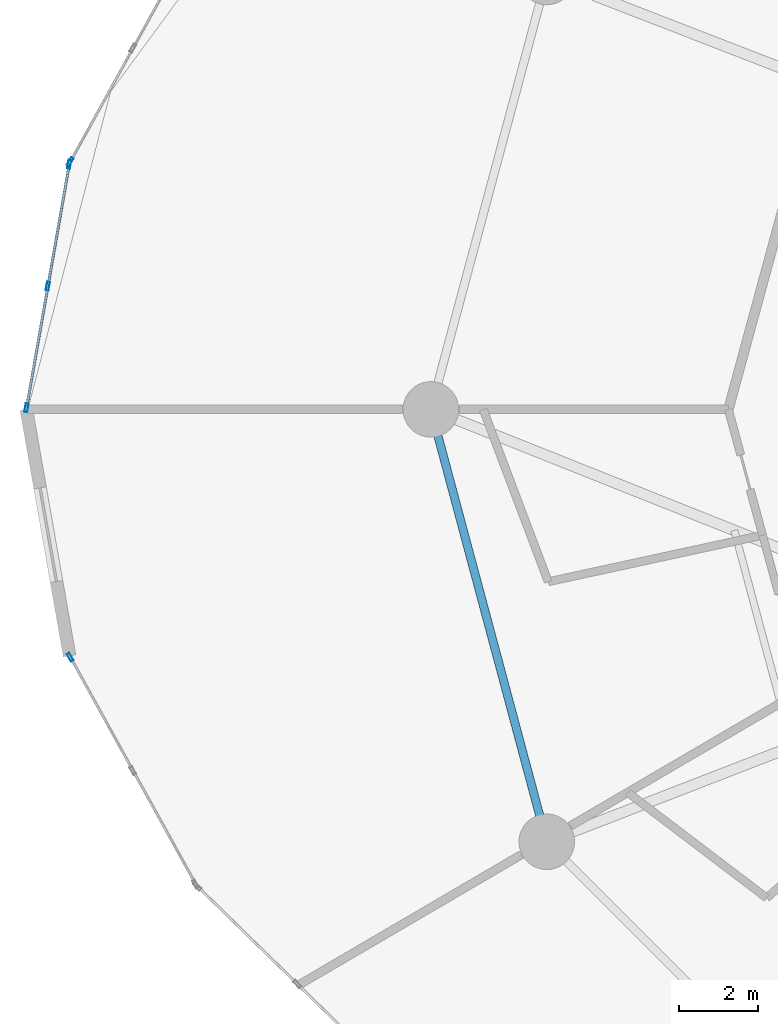
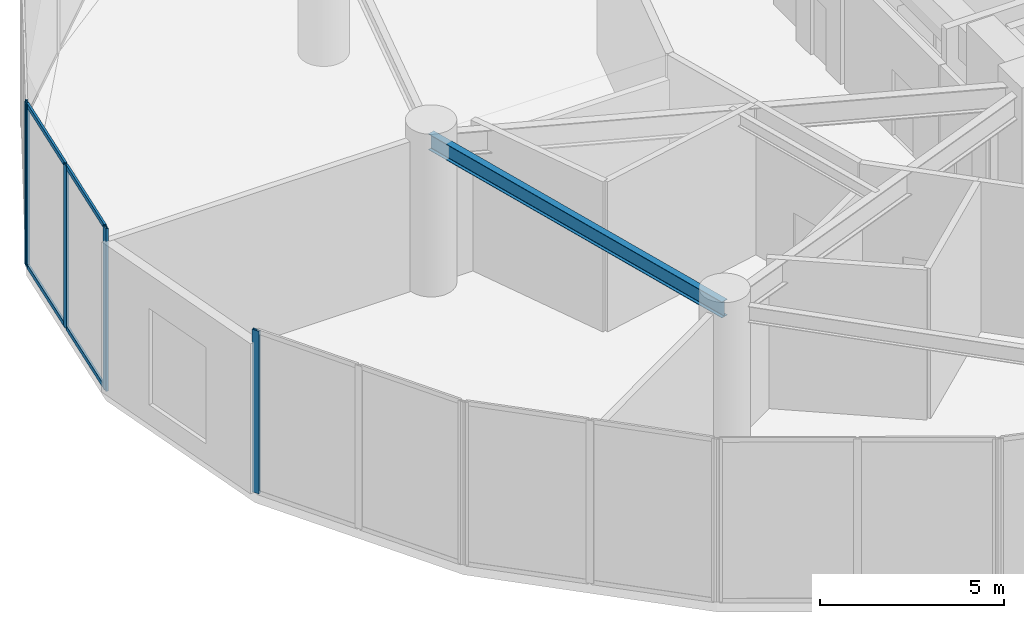
# One storey, part 7 of 29: 9 members, 1 beam, 3 elements without a shape of their own.
"""IFC4 building model written with IfcOpenShell, lengths in metres."""

from ifc_helpers import new_model, si_unit, direction, frame, origin, origin_2d, place, context, subcontext, project, spatial, hollow_rectangle, i_section, extrude, source, transform, mapped, material, layer, layer_set, material_profile, profile_set, type_object, element, aggregate, save


model = new_model("IFC4")

# Units and contexts
model_context = context("Model", 3, precision=1e-05, world=origin(), true_north=direction((0.0, 1.0)))
body_context = subcontext(model_context, "Body", "Model", "MODEL_VIEW")
ifc_project = project(units=[si_unit("LENGTHUNIT", "METRE"), si_unit("AREAUNIT", "SQUARE_METRE"), si_unit("VOLUMEUNIT", "CUBIC_METRE"), si_unit("PLANEANGLEUNIT", "RADIAN"), si_unit("MASSUNIT", "GRAM", prefix="KILO")], contexts=[model_context])

# Site, building, storey
site_placement = place(None, origin())
site = spatial("IfcSite", under=ifc_project, at=site_placement, CompositionType="ELEMENT")
building_placement = place(site_placement, origin())
building = spatial("IfcBuilding", under=site, at=building_placement, Name="Solvirekh Grand Hotel", CompositionType="ELEMENT")
storey_placement = place(building_placement, frame((0.0, 0.0, 7.199951171875)))
storey = spatial("IfcBuildingStorey", under=building, at=storey_placement, Name="L01", CompositionType="ELEMENT", Elevation=7.199951171875)

# Beam
ifc_material_1 = material(Name="Steel S355", Category="steel")
ifc_material_profile_1 = material_profile(ifc_material_1, i_section(OverallWidth=0.208984375, OverallDepth=0.532958984375, WebThickness=0.010009765625, FlangeThickness=0.014892578125, FilletRadius=0.013916015625, at=origin_2d()), Name="W530X92")
ifc_profile_set_1 = profile_set([ifc_material_profile_1], Name="Steel S355")
beam_type = type_object("IfcBeamType", Name="Spandrel_Ring_W530", PredefinedType="SPANDREL", material=ifc_profile_set_1)
beam_placement = place(storey_placement, frame((-21.800048828125, 0.0, 4.713134765625), z_axis=(0.258862249378, -0.965914248703, 0.0), x_axis=(0.965914248703, 0.258862249378, 0.0)))
element("IfcBeam", 1, at=beam_placement, inside=storey, type_object=beam_type, Name="L01 perimeter spandrel beam 7", PredefinedType="SPANDREL", context=body_context, shape_type="SweptSolid", body=[
    extrude(i_section(OverallWidth=0.208984375, OverallDepth=0.532958984375, WebThickness=0.010009765625, FlangeThickness=0.014892578125, FilletRadius=0.013916015625, at=origin_2d()), origin(), (0.0, 0.0, 1.0), 11.284423828125),
])

# Curtain wall, member
ifc_material_2 = material(Name="Anodized Bronze Aluminium 6063-T6", Category="aluminium")
ifc_layer = layer(ifc_material_2, 0.219970703125)
ifc_layer_set = layer_set([ifc_layer], Name="Anodized Bronze Aluminium 6063-T6")
curtain_wall_type = type_object("IfcCurtainWallType", Name="CW_Sys1_PodiumBronzeUnitised", PredefinedType="NOTDEFINED", material=ifc_layer_set)
curtain_wall_1_placement = place(storey_placement, origin())
curtain_wall_1 = element("IfcCurtainWall", 2, at=curtain_wall_1_placement, inside=storey, type_object=curtain_wall_type, Name="L01 unitised bronze-glass curtain wall CW-L01-C11", PredefinedType="NOTDEFINED")
ifc_material_profile_2 = material_profile(ifc_material_2, hollow_rectangle(XDim=0.074951171875, YDim=0.219970703125, WallThickness=0.006103515625, at=origin_2d()), Name="ALU RHS 220X75X6")
ifc_profile_set_2 = profile_set([ifc_material_profile_2], Name="Anodized Bronze Aluminium 6063-T6")
member_type_1 = type_object("IfcMemberType", Name="CWMullion_Sys1", PredefinedType="MULLION", material=ifc_profile_set_2)
shared_shape_1 = source(origin(), body_context, "Body", "SweptSolid", [
    extrude(hollow_rectangle(XDim=0.074951171875, YDim=0.219970703125, WallThickness=0.006103515625, at=origin_2d()), origin(), (0.0, 0.0, 1.0), 5.400146484375),
])
member_1_placement = place(storey_placement, frame((-30.891845703125, 6.244873046875, 0.0), z_axis=(0.0, 0.0, 1.0), x_axis=(0.875345975229, -0.48349707719, 0.0)))
member_1 = element("IfcMember", 3, at=member_1_placement, type_object=member_type_1, Name="U01 mullion 3", PredefinedType="MULLION", context=body_context, shape_type="MappedRepresentation", body=[
    mapped(shared_shape_1, transform((0.0, 0.0, 0.0), x_axis=(1.0, 0.0, 0.0), y_axis=(0.0, 1.0, 0.0), z_axis=(0.0, 0.0, 1.0), scale=1.0)),
])
aggregate(curtain_wall_1, [member_1])

# Curtain wall, members
curtain_wall_2_placement = place(storey_placement, origin())
curtain_wall_2 = element("IfcCurtainWall", 4, at=curtain_wall_2_placement, inside=storey, type_object=curtain_wall_type, Name="L01 unitised bronze-glass curtain wall CW-L01-C12", PredefinedType="NOTDEFINED")
member_2_placement = place(storey_placement, frame((-30.91650390625, 6.175048828125, 0.0), z_axis=(0.0, 0.0, 1.0), x_axis=(0.984952289837, -0.172826464248, 0.0)))
member_2 = element("IfcMember", 5, at=member_2_placement, type_object=member_type_1, Name="U01 mullion 1", PredefinedType="MULLION", context=body_context, shape_type="MappedRepresentation", body=[
    mapped(shared_shape_1, transform((0.0, 0.0, 0.0), x_axis=(1.0, 0.0, 0.0), y_axis=(0.0, 1.0, 0.0), z_axis=(0.0, 0.0, 1.0), scale=1.0)),
])
member_3_placement = place(storey_placement, frame((-31.455078125, 3.10595703125, 0.0), z_axis=(0.0, 0.0, 1.0), x_axis=(0.984952289837, -0.172826464248, 0.0)))
member_3 = element("IfcMember", 6, at=member_3_placement, type_object=member_type_1, Name="U01 mullion 2", PredefinedType="MULLION", context=body_context, shape_type="MappedRepresentation", body=[
    mapped(shared_shape_1, transform((0.0, 0.0, 0.0), x_axis=(1.0, 0.0, 0.0), y_axis=(0.0, 1.0, 0.0), z_axis=(0.0, 0.0, 1.0), scale=1.0)),
])
member_4_placement = place(storey_placement, frame((-31.993408203125, 0.036865234375, 0.0), z_axis=(0.0, 0.0, 1.0), x_axis=(0.984952289837, -0.172826464248, 0.0)))
member_4 = element("IfcMember", 7, at=member_4_placement, type_object=member_type_1, Name="U01 mullion 3", PredefinedType="MULLION", context=body_context, shape_type="MappedRepresentation", body=[
    mapped(shared_shape_1, transform((0.0, 0.0, 0.0), x_axis=(1.0, 0.0, 0.0), y_axis=(0.0, 1.0, 0.0), z_axis=(0.0, 0.0, 1.0), scale=1.0)),
])

# Curtain wall, member
curtain_wall_3_placement = place(storey_placement, origin())
curtain_wall_3 = element("IfcCurtainWall", 8, at=curtain_wall_3_placement, inside=storey, type_object=curtain_wall_type, Name="L01 unitised bronze-glass curtain wall CW-L01-C14", PredefinedType="NOTDEFINED")
member_5_placement = place(storey_placement, frame((-30.891845703125, -6.244873046875, 0.0), z_axis=(0.0, 0.0, 1.0), x_axis=(0.875345975229, 0.48349707719, 0.0)))
member_5 = element("IfcMember", 9, at=member_5_placement, type_object=member_type_1, Name="U01 mullion 1", PredefinedType="MULLION", context=body_context, shape_type="MappedRepresentation", body=[
    mapped(shared_shape_1, transform((0.0, 0.0, 0.0), x_axis=(1.0, 0.0, 0.0), y_axis=(0.0, 1.0, 0.0), z_axis=(0.0, 0.0, 1.0), scale=1.0)),
])
aggregate(curtain_wall_3, [member_5])

# Member
ifc_material_profile_3 = material_profile(ifc_material_2, hollow_rectangle(XDim=0.06494140625, YDim=0.14990234375, WallThickness=0.0048828125, at=origin_2d()), Name="ALU RHS 150X65X5")
ifc_profile_set_3 = profile_set([ifc_material_profile_3], Name="Anodized Bronze Aluminium 6063-T6")
member_type_2 = type_object("IfcMemberType", Name="CWTransom_Sys1", PredefinedType="USERDEFINED", material=ifc_profile_set_3)
shared_shape_2 = source(origin(), body_context, "Body", "SweptSolid", [
    extrude(hollow_rectangle(XDim=0.06494140625, YDim=0.14990234375, WallThickness=0.0048828125, at=origin_2d()), origin(), (0.0, 0.0, 1.0), 3.041015625),
])
member_6_placement = place(storey_placement, frame((-30.9228515625, 6.13818359375, 0.032470703125), z_axis=(-0.172841834951, -0.984949592665, 0.0), x_axis=(0.984949592665, -0.172841834951, 0.0)))
member_6 = element("IfcMember", 10, at=member_6_placement, type_object=member_type_2, Name="U01 transom 1.1", ObjectType="TRANSOM", PredefinedType="USERDEFINED", context=body_context, shape_type="MappedRepresentation", body=[
    mapped(shared_shape_2, transform((0.0, 0.0, 0.0), x_axis=(1.0, 0.0, 0.0), y_axis=(0.0, 1.0, 0.0), z_axis=(0.0, 0.0, 1.0), scale=1.0)),
])

member_7_placement = place(storey_placement, frame((-30.9228515625, 6.13818359375, 5.367431640625), z_axis=(-0.172841834951, -0.984949592665, 0.0), x_axis=(0.984949592665, -0.172841834951, 0.0)))
member_7 = element("IfcMember", 11, at=member_7_placement, type_object=member_type_2, Name="U01 transom 1.2", ObjectType="TRANSOM", PredefinedType="USERDEFINED", context=body_context, shape_type="MappedRepresentation", body=[
    mapped(shared_shape_2, transform((0.0, 0.0, 0.0), x_axis=(1.0, 0.0, 0.0), y_axis=(0.0, 1.0, 0.0), z_axis=(0.0, 0.0, 1.0), scale=1.0)),
])

shared_shape_3 = source(origin(), body_context, "Body", "SweptSolid", [
    extrude(hollow_rectangle(XDim=0.06494140625, YDim=0.14990234375, WallThickness=0.0048828125, at=origin_2d()), origin(), (0.0, 0.0, 1.0), 3.040771484375),
])
member_8_placement = place(storey_placement, frame((-31.46142578125, 3.069091796875, 0.032470703125), z_axis=(-0.172855502842, -0.984947194086, 0.0), x_axis=(0.984947194086, -0.172855502842, 0.0)))
member_8 = element("IfcMember", 12, at=member_8_placement, type_object=member_type_2, Name="U01 transom 2.1", ObjectType="TRANSOM", PredefinedType="USERDEFINED", context=body_context, shape_type="MappedRepresentation", body=[
    mapped(shared_shape_3, transform((0.0, 0.0, 0.0), x_axis=(1.0, 0.0, 0.0), y_axis=(0.0, 1.0, 0.0), z_axis=(0.0, 0.0, 1.0), scale=1.0)),
])

member_9_placement = place(storey_placement, frame((-31.46142578125, 3.069091796875, 5.367431640625), z_axis=(-0.172855502842, -0.984947194086, 0.0), x_axis=(0.984947194086, -0.172855502842, 0.0)))
member_9 = element("IfcMember", 13, at=member_9_placement, type_object=member_type_2, Name="U01 transom 2.2", ObjectType="TRANSOM", PredefinedType="USERDEFINED", context=body_context, shape_type="MappedRepresentation", body=[
    mapped(shared_shape_3, transform((0.0, 0.0, 0.0), x_axis=(1.0, 0.0, 0.0), y_axis=(0.0, 1.0, 0.0), z_axis=(0.0, 0.0, 1.0), scale=1.0)),
])

aggregate(curtain_wall_2, [member_2, member_3, member_4, member_6, member_7, member_8, member_9])

save(model, "model.ifc")
